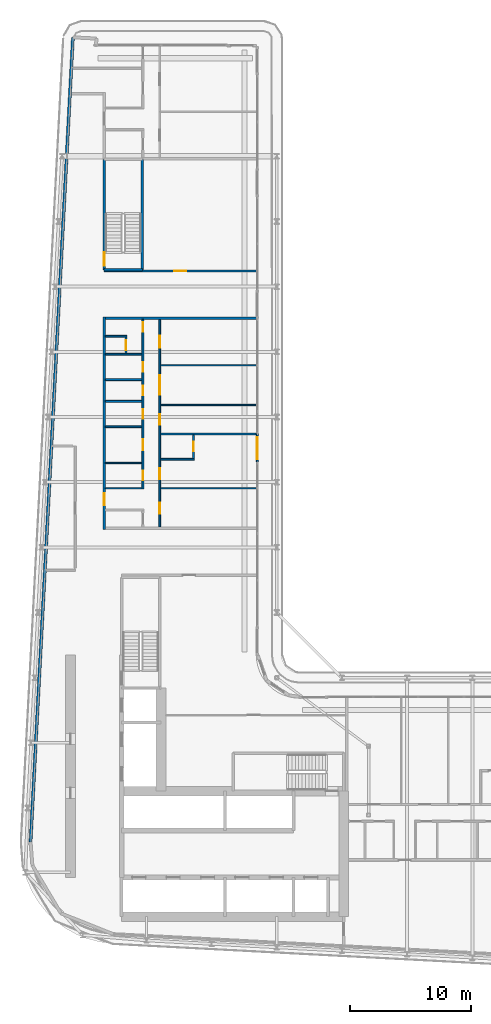
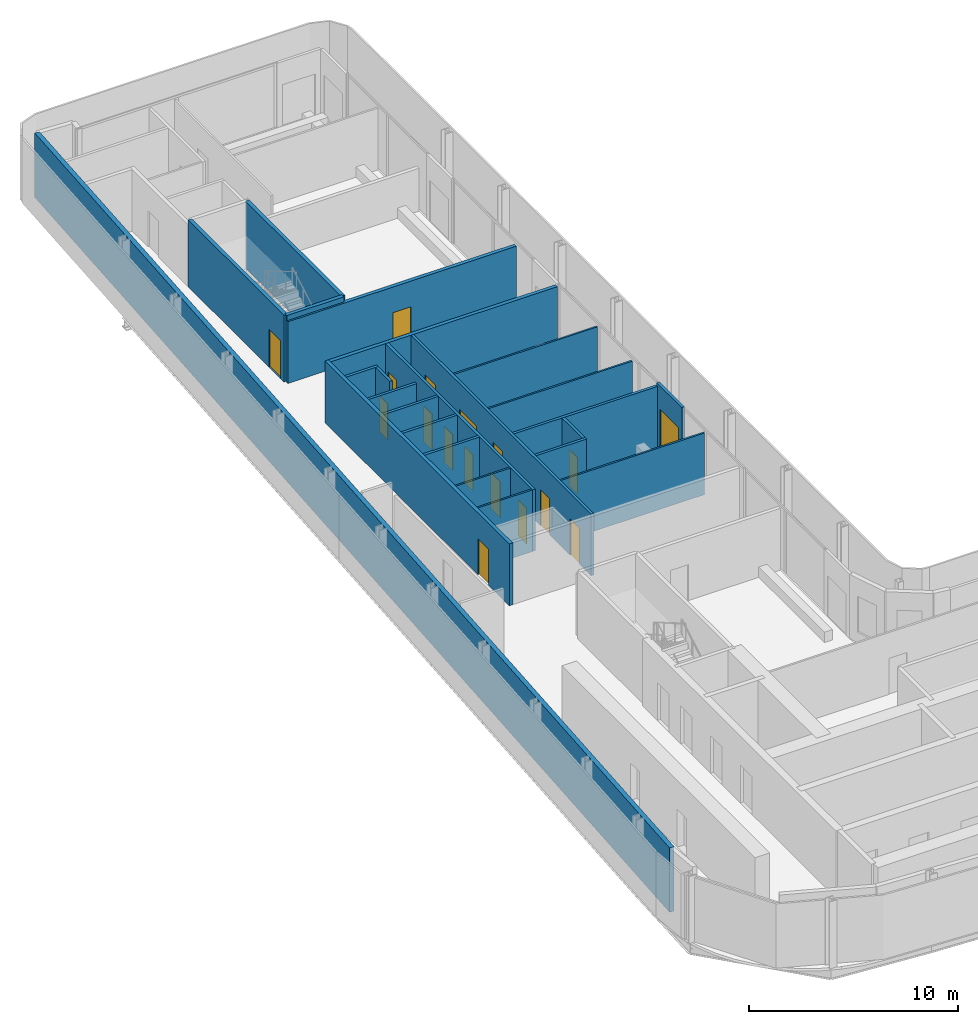
# One storey, part 15 of 24: 24 walls, 17 doors, 17 openings.
"""IFC4 building model written with IfcOpenShell, lengths in metres."""

from ifc_helpers import new_model, si_unit, direction, frame, frame_2d, origin, place, context, subcontext, project, spatial, rectangle, extrude, source, transform, mapped, material, layer, layer_set, type_object, element, fill, save


model = new_model("IFC4")

# Units and contexts
model_context = context("Model", 3, precision=1e-05, world=origin(), true_north=direction((0.0, 1.0)))
body_context = subcontext(model_context, "Body", "Model", "MODEL_VIEW")
ifc_project = project(units=[si_unit("LENGTHUNIT", "METRE"), si_unit("AREAUNIT", "SQUARE_METRE"), si_unit("VOLUMEUNIT", "CUBIC_METRE"), si_unit("PLANEANGLEUNIT", "RADIAN"), si_unit("MASSUNIT", "GRAM", prefix="KILO")], contexts=[model_context])

# Site, building, storey
site_placement = place(None, origin())
site = spatial("IfcSite", under=ifc_project, at=site_placement, CompositionType="ELEMENT")
building_placement = place(site_placement, origin())
building = spatial("IfcBuilding", under=site, at=building_placement, Name="Kheshtan School and Residences Tower", CompositionType="ELEMENT")
storey_placement = place(building_placement, frame((0.0, 0.0, 160.39990234375)))
storey = spatial("IfcBuildingStorey", under=building, at=storey_placement, Name="L37", CompositionType="ELEMENT", Elevation=160.39990234375)

# Wall, opening, door
ifc_material_1 = material(Name="Gypsum board on steel studs with fire boards", Category="steel")
ifc_layer_1 = layer(ifc_material_1, 0.199951171875)
ifc_layer_set_1 = layer_set([ifc_layer_1], Name="Corridor wall 200")
wall_type_1 = type_object("IfcWallType", Name="Corridor wall 200", PredefinedType="PARTITIONING", material=ifc_layer_set_1)
wall_1_placement = place(storey_placement, frame((33.300048828125, 57.89990234375, 0.0), z_axis=(0.0, 0.0, 1.0), x_axis=(0.0, 1.0, 0.0)))
wall_1 = element("IfcWall", 1, at=wall_1_placement, inside=storey, type_object=wall_type_1, Name="Partition L37-003", PredefinedType="PARTITIONING", context=body_context, shape_type="SweptSolid", body=[
    extrude(rectangle(XDim=17.60009765625, YDim=0.199951171875, at=frame_2d((8.800048828125, 0.0))), origin(), (0.0, 0.0, 1.0), 3.60009765625),
])
opening_1_placement = place(wall_1_placement, frame((2.0, 0.0, 0.0)))
opening_1 = element("IfcOpeningElement", 2, at=opening_1_placement, cuts=wall_1, Name="Opening D37-034", PredefinedType="OPENING", context=body_context, shape_type="SweptSolid", body=[
    extrude(rectangle(XDim=1.0, YDim=2.10009765625, at=frame_2d((0.5, 1.050048828125))), frame((0.0, 0.10986328125, 0.0), z_axis=(0.0, -1.0, 0.0), x_axis=(1.0, 0.0, 0.0)), (0.0, 0.0, 1.0), 0.219970703125),
])
ifc_material_2 = material(Name="Steel-framed fire-resisting door leaf", Category="steel")
door_type_1 = type_object("IfcDoorType", Name="Fire door FD30S 1000 x 2100", OperationType="SINGLE_SWING_LEFT", PredefinedType="DOOR", material=ifc_material_2)
shared_shape_1 = source(origin(), body_context, "Body", "SweptSolid", [
    extrude(rectangle(XDim=1.0, YDim=2.10009765625, at=frame_2d((0.5, 1.050048828125))), frame((0.0, 0.02490234375, 0.0), z_axis=(0.0, -1.0, 0.0), x_axis=(1.0, 0.0, 0.0)), (0.0, 0.0, 1.0), 0.050048828125),
])
door_1_placement = place(opening_1_placement, origin())
door_1 = element("IfcDoor", 3, at=door_1_placement, inside=storey, type_object=door_type_1, Name="Door D37-034", OperationType="SINGLE_SWING_LEFT", OverallHeight=2.10009765625, OverallWidth=1.0, PredefinedType="DOOR", context=body_context, shape_type="MappedRepresentation", body=[
    mapped(shared_shape_1, transform((0.0, 0.0, 0.0), x_axis=(1.0, 0.0, 0.0), y_axis=(0.0, 1.0, 0.0), z_axis=(0.0, 0.0, 1.0), scale=1.0)),
])
fill(opening_1, door_1)

wall_2_placement = place(storey_placement, frame((33.300048828125, 79.300048828125, 0.0), z_axis=(0.0, 0.0, 1.0), x_axis=(1.0, 0.0, 0.0)))
wall_2 = element("IfcWall", 4, at=wall_2_placement, inside=storey, type_object=wall_type_1, Name="Partition L37-004", PredefinedType="PARTITIONING", context=body_context, shape_type="SweptSolid", body=[
    extrude(rectangle(XDim=12.599853515625, YDim=0.199951171875, at=frame_2d((6.2998046875, 0.0))), origin(), (0.0, 0.0, 1.0), 3.60009765625),
])
opening_2_placement = place(wall_2_placement, frame((5.794921875, 0.0, 0.0)))
opening_2 = element("IfcOpeningElement", 5, at=opening_2_placement, cuts=wall_2, Name="Opening D37-052", PredefinedType="OPENING", context=body_context, shape_type="SweptSolid", body=[
    extrude(rectangle(XDim=1.0, YDim=2.10009765625, at=frame_2d((0.5, 1.050048828125))), frame((0.0, 0.10986328125, 0.0), z_axis=(0.0, -1.0, 0.0), x_axis=(1.0, 0.0, 0.0)), (0.0, 0.0, 1.0), 0.219970703125),
])
door_type_2 = type_object("IfcDoorType", Name="Fire door FD60 1000 x 2100", OperationType="SINGLE_SWING_LEFT", PredefinedType="DOOR", material=ifc_material_2)
shared_shape_2 = source(origin(), body_context, "Body", "SweptSolid", [
    extrude(rectangle(XDim=1.0, YDim=2.10009765625, at=frame_2d((0.5, 1.050048828125))), frame((0.0, 0.02490234375, 0.0), z_axis=(0.0, -1.0, 0.0), x_axis=(1.0, 0.0, 0.0)), (0.0, 0.0, 1.0), 0.050048828125),
])
door_2_placement = place(opening_2_placement, origin())
door_2 = element("IfcDoor", 6, at=door_2_placement, inside=storey, type_object=door_type_2, Name="Door D37-052", OperationType="SINGLE_SWING_RIGHT", OverallHeight=2.10009765625, OverallWidth=1.0, PredefinedType="DOOR", context=body_context, shape_type="MappedRepresentation", body=[
    mapped(shared_shape_2, transform((0.0, 0.0, 0.0), x_axis=(1.0, 0.0, 0.0), y_axis=(0.0, 1.0, 0.0), z_axis=(0.0, 0.0, 1.0), scale=1.0)),
])
fill(opening_2, door_2)

# Walls
wall_3_placement = place(storey_placement, frame((33.39990234375, 75.39990234375, 0.0), z_axis=(0.0, 0.0, 1.0), x_axis=(1.0, 0.0, 0.0)))
element("IfcWall", 7, at=wall_3_placement, inside=storey, type_object=wall_type_1, Name="Partition L37-015", PredefinedType="PARTITIONING", context=body_context, shape_type="SweptSolid", body=[
    extrude(rectangle(XDim=12.5, YDim=0.199951171875, at=frame_2d((6.25, 0.0))), origin(), (0.0, 0.0, 1.0), 3.60009765625),
])
ifc_material_3 = material(Name="Concrete C40/50 with ceramic cladding and mineral wool insulation", Category="concrete")
ifc_layer_2 = layer(ifc_material_3, 0.25)
ifc_layer_set_2 = layer_set([ifc_layer_2], Name="External wall 250 ceramic clad")
wall_type_2 = type_object("IfcWallType", Name="External wall 250 ceramic clad", PredefinedType="SOLIDWALL", material=ifc_layer_set_2)
wall_4_placement = place(storey_placement, frame((27.195068359375, 31.968994140625, 0.0), z_axis=(0.0, 0.0, 1.0), x_axis=(0.052554995867, 0.998618031286, 0.0)))
element("IfcWall", 8, at=wall_4_placement, inside=storey, type_object=wall_type_2, Name="External wall L37 4", PredefinedType="SOLIDWALL", context=body_context, shape_type="SweptSolid", body=[
    extrude(rectangle(XDim=66.787353515625, YDim=0.25, at=frame_2d((33.3935546875, 0.0))), origin(), (0.0, 0.0, 1.0), 3.75),
])

# Wall, opening, door
ifc_material_4 = material(Name="Aluminium frame wall with insulated infill", Category="aluminium")
ifc_layer_3 = layer(ifc_material_4, 0.14990234375)
ifc_layer_set_3 = layer_set([ifc_layer_3], Name="Glazing frame wall 150")
wall_type_3 = type_object("IfcWallType", Name="Glazing frame wall 150", PredefinedType="SOLIDWALL", material=ifc_layer_set_3)
wall_5_placement = place(storey_placement, frame((45.97509765625, 65.818115234375, 0.0), z_axis=(0.0, 0.0, 1.0), x_axis=(0.0, -1.0, 0.0)))
wall_5 = element("IfcWall", 9, at=wall_5_placement, inside=storey, type_object=wall_type_3, Name="Balcony door wall L37 8.4", PredefinedType="SOLIDWALL", context=body_context, shape_type="SweptSolid", body=[
    extrude(rectangle(XDim=2.400146484375, YDim=0.14990234375, at=frame_2d((1.2001953125, 0.0))), origin(), (0.0, 0.0, 1.0), 3.75),
])
opening_3_placement = place(wall_5_placement, frame((0.300048828125, 0.0, 0.0)))
opening_3 = element("IfcOpeningElement", 10, at=opening_3_placement, cuts=wall_5, Name="Opening BD", PredefinedType="OPENING", context=body_context, shape_type="SweptSolid", body=[
    extrude(rectangle(XDim=1.800048828125, YDim=2.39990234375, at=frame_2d((0.89990234375, 1.199951171875))), frame((0.0, 0.0849609375, 0.0), z_axis=(0.0, -1.0, 0.0), x_axis=(1.0, 0.0, 0.0)), (0.0, 0.0, 1.0), 0.169921875),
])
ifc_material_5 = material(Name="Clear low-e glass in thermally broken aluminium frame", Category="aluminium")
door_type_3 = type_object("IfcDoorType", Name="Balcony sliding door", OperationType="SLIDING_TO_LEFT", PredefinedType="DOOR", material=ifc_material_5)
shared_shape_3 = source(origin(), body_context, "Body", "SweptSolid", [
    extrude(rectangle(XDim=1.800048828125, YDim=2.39990234375, at=frame_2d((0.89990234375, 1.199951171875))), frame((0.0, 0.02490234375, 0.0), z_axis=(0.0, -1.0, 0.0), x_axis=(1.0, 0.0, 0.0)), (0.0, 0.0, 1.0), 0.050048828125),
])
door_3_placement = place(opening_3_placement, origin())
door_3 = element("IfcDoor", 11, at=door_3_placement, inside=storey, type_object=door_type_3, Name="Balcony door L37 8.4", OperationType="SLIDING_TO_LEFT", OverallHeight=2.39990234375, OverallWidth=1.800048828125, PredefinedType="DOOR", context=body_context, shape_type="MappedRepresentation", body=[
    mapped(shared_shape_3, transform((0.0, 0.0, 0.0), x_axis=(1.0, 0.0, 0.0), y_axis=(0.0, 1.0, 0.0), z_axis=(0.0, 0.0, 1.0), scale=1.0)),
])
fill(opening_3, door_3)

# Walls
ifc_material_6 = material(Name="Gypsum board on steel studs", Category="steel")
ifc_layer_4 = layer(ifc_material_6, 0.10009765625)
ifc_layer_set_4 = layer_set([ifc_layer_4], Name="Gypsum partition 100")
wall_type_4 = type_object("IfcWallType", Name="Gypsum partition 100", PredefinedType="PARTITIONING", material=ifc_layer_set_4)
for number, where, z_axis, x_axis, name in (
    (12, (33.39990234375, 61.300048828125, 0.0), (0.0, 0.0, 1.0), (1.0, 0.0, 0.0), "Partition L37-008"),
    (13, (33.39990234375, 63.39990234375, 0.0), (0.0, 0.0, 1.0), (1.0, 0.0, 0.0), "Partition L37-009"),
):
    element("IfcWall", number, at=place(storey_placement, frame(where, z_axis=z_axis, x_axis=x_axis)), inside=storey, type_object=wall_type_4, Name=name, PredefinedType="PARTITIONING", context=body_context, shape_type="SweptSolid", body=[
        extrude(rectangle(XDim=3.025146484375, YDim=0.10009765625, at=frame_2d((1.5126953125, 0.0))), origin(), (0.0, 0.0, 1.0), 3.60009765625),
    ])
for number, where, z_axis, x_axis, name in (
    (14, (37.97509765625, 61.300048828125, 0.0), (0.0, 0.0, 1.0), (1.0, 0.0, 0.0), "Partition L37-028"),
    (15, (37.97509765625, 68.199951171875, 0.0), (0.0, 0.0, 1.0), (1.0, 0.0, 0.0), "Partition L37-031"),
    (16, (37.97509765625, 71.5, 0.0), (0.0, 0.0, 1.0), (1.0, 0.0, 0.0), "Partition L37-032"),
):
    element("IfcWall", number, at=place(storey_placement, frame(where, z_axis=z_axis, x_axis=x_axis)), inside=storey, type_object=wall_type_4, Name=name, PredefinedType="PARTITIONING", context=body_context, shape_type="SweptSolid", body=[
        extrude(rectangle(XDim=7.9248046875, YDim=0.10009765625, at=frame_2d((3.96240234375, 0.0))), origin(), (0.0, 0.0, 1.0), 3.60009765625),
    ])
ifc_material_7 = material(Name="Concrete C40/50", Category="concrete")
ifc_layer_5 = layer(ifc_material_7, 0.199951171875)
ifc_layer_set_5 = layer_set([ifc_layer_5], Name="Stair enclosure wall 200 Concrete C40/50")
wall_type_5 = type_object("IfcWallType", Name="Stair enclosure wall 200 Concrete C40/50", PredefinedType="SHEAR", material=ifc_layer_set_5)
wall_6_placement = place(storey_placement, frame((33.300048828125, 79.39990234375, 0.0), z_axis=(0.0, 0.0, 1.0), x_axis=(1.0, 0.0, 0.0)))
element("IfcWall", 17, at=wall_6_placement, inside=storey, type_object=wall_type_5, Name="Stair enclosure wall ST3", PredefinedType="SHEAR", context=body_context, shape_type="SweptSolid", body=[
    extrude(rectangle(XDim=3.14990234375, YDim=0.199951171875, at=frame_2d((1.574951171875, 0.0))), origin(), (0.0, 0.0, 1.0), 3.900146484375),
])

# Wall, opening, door
wall_7_placement = place(storey_placement, frame((33.300048828125, 79.39990234375, 0.0), z_axis=(0.0, 0.0, 1.0), x_axis=(0.0, 1.0, 0.0)))
wall_7 = element("IfcWall", 18, at=wall_7_placement, inside=storey, type_object=wall_type_5, Name="Stair enclosure wall ST3", PredefinedType="SHEAR", context=body_context, shape_type="SweptSolid", body=[
    extrude(rectangle(XDim=9.16015625, YDim=0.199951171875, at=frame_2d((4.580078125, 0.0))), origin(), (0.0, 0.0, 1.0), 3.900146484375),
])
opening_4_placement = place(wall_7_placement, frame((0.35009765625, 0.0, 0.0)))
opening_4 = element("IfcOpeningElement", 19, at=opening_4_placement, cuts=wall_7, Name="Opening ST3D", PredefinedType="OPENING", context=body_context, shape_type="SweptSolid", body=[
    extrude(rectangle(XDim=1.10009765625, YDim=2.199951171875, at=frame_2d((0.550048828125, 1.10009765625))), frame((0.0, 0.10986328125, 0.0), z_axis=(0.0, -1.0, 0.0), x_axis=(1.0, 0.0, 0.0)), (0.0, 0.0, 1.0), 0.219970703125),
])
ifc_material_8 = material(Name="Steel door leaf, galvanised", Category="steel")
door_type_4 = type_object("IfcDoorType", Name="Stair door 1100 steel 90 min", OperationType="SINGLE_SWING_LEFT", PredefinedType="DOOR", material=ifc_material_8)
shared_shape_4 = source(origin(), body_context, "Body", "SweptSolid", [
    extrude(rectangle(XDim=1.10009765625, YDim=2.199951171875, at=frame_2d((0.550048828125, 1.10009765625))), frame((0.0, 0.02490234375, 0.0), z_axis=(0.0, -1.0, 0.0), x_axis=(1.0, 0.0, 0.0)), (0.0, 0.0, 1.0), 0.050048828125),
])
door_4_placement = place(opening_4_placement, origin())
door_4 = element("IfcDoor", 20, at=door_4_placement, inside=storey, type_object=door_type_4, Name="Stair ST3 door", OperationType="SINGLE_SWING_RIGHT", OverallHeight=2.199951171875, OverallWidth=1.10009765625, PredefinedType="DOOR", context=body_context, shape_type="MappedRepresentation", body=[
    mapped(shared_shape_4, transform((0.0, 0.0, 0.0), x_axis=(1.0, 0.0, 0.0), y_axis=(0.0, 1.0, 0.0), z_axis=(0.0, 0.0, 1.0), scale=1.0)),
])
fill(opening_4, door_4)

# Walls
wall_8_placement = place(storey_placement, frame((36.449951171875, 79.39990234375, 0.0), z_axis=(0.0, 0.0, 1.0), x_axis=(0.0, 1.0, 0.0)))
element("IfcWall", 21, at=wall_8_placement, inside=storey, type_object=wall_type_5, Name="Stair enclosure wall ST3", PredefinedType="SHEAR", context=body_context, shape_type="SweptSolid", body=[
    extrude(rectangle(XDim=9.16015625, YDim=0.199951171875, at=frame_2d((4.580078125, 0.0))), origin(), (0.0, 0.0, 1.0), 3.900146484375),
])
ifc_material_9 = material(Name="Moisture-resistant gypsum board on steel studs", Category="steel")
ifc_layer_6 = layer(ifc_material_9, 0.14990234375)
ifc_layer_set_6 = layer_set([ifc_layer_6], Name="Wet-room partition 150")
wall_type_6 = type_object("IfcWallType", Name="Wet-room partition 150", PredefinedType="PARTITIONING", material=ifc_layer_set_6)
for number, where, z_axis, x_axis, name in (
    (22, (33.39990234375, 66.39990234375, 0.0), (0.0, 0.0, 1.0), (1.0, 0.0, 0.0), "Partition L37-010"),
    (23, (33.39990234375, 68.5, 0.0), (0.0, 0.0, 1.0), (1.0, 0.0, 0.0), "Partition L37-011"),
    (24, (33.39990234375, 70.300048828125, 0.0), (0.0, 0.0, 1.0), (1.0, 0.0, 0.0), "Partition L37-012"),
):
    element("IfcWall", number, at=place(storey_placement, frame(where, z_axis=z_axis, x_axis=x_axis)), inside=storey, type_object=wall_type_6, Name=name, PredefinedType="PARTITIONING", context=body_context, shape_type="SweptSolid", body=[
        extrude(rectangle(XDim=3.025146484375, YDim=0.14990234375, at=frame_2d((1.5126953125, 0.0))), origin(), (0.0, 0.0, 1.0), 3.60009765625),
    ])
wall_9_placement = place(storey_placement, frame((33.39990234375, 72.39990234375, 0.0), z_axis=(0.0, 0.0, 1.0), x_axis=(1.0, 0.0, 0.0)))
element("IfcWall", 25, at=wall_9_placement, inside=storey, type_object=wall_type_6, Name="Partition L37-013", PredefinedType="PARTITIONING", context=body_context, shape_type="SweptSolid", body=[
    extrude(rectangle(XDim=3.025146484375, YDim=0.14990234375, at=frame_2d((1.5126953125, 0.0))), origin(), (0.0, 0.0, 1.0), 3.072021484375),
])
wall_10_placement = place(storey_placement, frame((33.39990234375, 73.89990234375, 0.0), z_axis=(0.0, 0.0, 1.0), x_axis=(1.0, 0.0, 0.0)))
element("IfcWall", 26, at=wall_10_placement, inside=storey, type_object=wall_type_6, Name="Partition L37-014", PredefinedType="PARTITIONING", context=body_context, shape_type="SweptSolid", body=[
    extrude(rectangle(XDim=1.775146484375, YDim=0.14990234375, at=frame_2d((0.8876953125, 0.0))), origin(), (0.0, 0.0, 1.0), 3.60009765625),
])

# Wall, opening, door
wall_11_placement = place(storey_placement, frame((35.10009765625, 72.47509765625, 0.0), z_axis=(0.0, 0.0, 1.0), x_axis=(0.0, 1.0, 0.0)))
wall_11 = element("IfcWall", 27, at=wall_11_placement, inside=storey, type_object=wall_type_6, Name="Partition L37-019", PredefinedType="PARTITIONING", context=body_context, shape_type="SweptSolid", body=[
    extrude(rectangle(XDim=1.349853515625, YDim=0.14990234375, at=frame_2d((0.6748046875, 0.0))), origin(), (0.0, 0.0, 1.0), 3.60009765625),
])
opening_5_placement = place(wall_11_placement, frame((0.27490234375, 0.0, 0.0)))
opening_5 = element("IfcOpeningElement", 28, at=opening_5_placement, cuts=wall_11, Name="Opening D37-039", PredefinedType="OPENING", context=body_context, shape_type="SweptSolid", body=[
    extrude(rectangle(XDim=0.800048828125, YDim=2.10009765625, at=frame_2d((0.39990234375, 1.050048828125))), frame((0.0, 0.0849609375, 0.0), z_axis=(0.0, -1.0, 0.0), x_axis=(1.0, 0.0, 0.0)), (0.0, 0.0, 1.0), 0.169921875),
])
ifc_material_10 = material(Name="Veneered timber door leaf", Category="wood")
door_type_5 = type_object("IfcDoorType", Name="Door 800 x 2100", OperationType="SINGLE_SWING_LEFT", PredefinedType="DOOR", material=ifc_material_10)
shared_shape_5 = source(origin(), body_context, "Body", "SweptSolid", [
    extrude(rectangle(XDim=0.800048828125, YDim=2.10009765625, at=frame_2d((0.39990234375, 1.050048828125))), frame((0.0, 0.02490234375, 0.0), z_axis=(0.0, -1.0, 0.0), x_axis=(1.0, 0.0, 0.0)), (0.0, 0.0, 1.0), 0.050048828125),
])
door_5_placement = place(opening_5_placement, origin())
door_5 = element("IfcDoor", 29, at=door_5_placement, inside=storey, type_object=door_type_5, Name="Door D37-039", OperationType="SINGLE_SWING_LEFT", OverallHeight=2.10009765625, OverallWidth=0.800048828125, PredefinedType="DOOR", context=body_context, shape_type="MappedRepresentation", body=[
    mapped(shared_shape_5, transform((0.0, 0.0, 0.0), x_axis=(1.0, 0.0, 0.0), y_axis=(0.0, 1.0, 0.0), z_axis=(0.0, 0.0, 1.0), scale=1.0)),
])
fill(opening_5, door_5)

# Wall, openings, doors
wall_12_placement = place(storey_placement, frame((36.5, 61.25, 0.0), z_axis=(0.0, 0.0, 1.0), x_axis=(0.0, 1.0, 0.0)))
wall_12 = element("IfcWall", 30, at=wall_12_placement, inside=storey, type_object=wall_type_6, Name="Partition L37-022", PredefinedType="PARTITIONING", context=body_context, shape_type="SweptSolid", body=[
    extrude(rectangle(XDim=14.050048828125, YDim=0.14990234375, at=frame_2d((7.02490234375, 0.0))), origin(), (0.0, 0.0, 1.0), 3.60009765625),
])
opening_6_placement = place(wall_12_placement, frame((5.800048828125, 0.0, 0.0)))
opening_6 = element("IfcOpeningElement", 31, at=opening_6_placement, cuts=wall_12, Name="Opening D37-028", PredefinedType="OPENING", context=body_context, shape_type="SweptSolid", body=[
    extrude(rectangle(XDim=0.800048828125, YDim=2.10009765625, at=frame_2d((0.39990234375, 1.050048828125))), frame((0.0, 0.0849609375, 0.0), z_axis=(0.0, -1.0, 0.0), x_axis=(1.0, 0.0, 0.0)), (0.0, 0.0, 1.0), 0.169921875),
])
opening_7_placement = place(wall_12_placement, frame((9.699951171875, 0.0, 0.0)))
opening_7 = element("IfcOpeningElement", 32, at=opening_7_placement, cuts=wall_12, Name="Opening D37-029", PredefinedType="OPENING", context=body_context, shape_type="SweptSolid", body=[
    extrude(rectangle(XDim=0.800048828125, YDim=2.10009765625, at=frame_2d((0.39990234375, 1.050048828125))), frame((0.0, 0.0849609375, 0.0), z_axis=(0.0, -1.0, 0.0), x_axis=(1.0, 0.0, 0.0)), (0.0, 0.0, 1.0), 0.169921875),
])
opening_8_placement = place(wall_12_placement, frame((0.699951171875, 0.0, 0.0)))
opening_8 = element("IfcOpeningElement", 33, at=opening_8_placement, cuts=wall_12, Name="Opening D37-032", PredefinedType="OPENING", context=body_context, shape_type="SweptSolid", body=[
    extrude(rectangle(XDim=0.800048828125, YDim=2.10009765625, at=frame_2d((0.39990234375, 1.050048828125))), frame((0.0, 0.0849609375, 0.0), z_axis=(0.0, -1.0, 0.0), x_axis=(1.0, 0.0, 0.0)), (0.0, 0.0, 1.0), 0.169921875),
])
opening_9_placement = place(wall_12_placement, frame((3.199951171875, 0.0, 0.0)))
opening_9 = element("IfcOpeningElement", 34, at=opening_9_placement, cuts=wall_12, Name="Opening D37-035", PredefinedType="OPENING", context=body_context, shape_type="SweptSolid", body=[
    extrude(rectangle(XDim=0.89990234375, YDim=2.10009765625, at=frame_2d((0.449951171875, 1.050048828125))), frame((0.0, 0.0849609375, 0.0), z_axis=(0.0, -1.0, 0.0), x_axis=(1.0, 0.0, 0.0)), (0.0, 0.0, 1.0), 0.169921875),
])
opening_10_placement = place(wall_12_placement, frame((7.75, 0.0, 0.0)))
opening_10 = element("IfcOpeningElement", 35, at=opening_10_placement, cuts=wall_12, Name="Opening D37-036", PredefinedType="OPENING", context=body_context, shape_type="SweptSolid", body=[
    extrude(rectangle(XDim=0.800048828125, YDim=2.10009765625, at=frame_2d((0.39990234375, 1.050048828125))), frame((0.0, 0.0849609375, 0.0), z_axis=(0.0, -1.0, 0.0), x_axis=(1.0, 0.0, 0.0)), (0.0, 0.0, 1.0), 0.169921875),
])
opening_11_placement = place(wall_12_placement, frame((13.0, 0.0, 0.0)))
opening_11 = element("IfcOpeningElement", 36, at=opening_11_placement, cuts=wall_12, Name="Opening D37-038", PredefinedType="OPENING", context=body_context, shape_type="SweptSolid", body=[
    extrude(rectangle(XDim=0.800048828125, YDim=2.10009765625, at=frame_2d((0.39990234375, 1.050048828125))), frame((0.0, 0.0849609375, 0.0), z_axis=(0.0, -1.0, 0.0), x_axis=(1.0, 0.0, 0.0)), (0.0, 0.0, 1.0), 0.169921875),
])
door_6_placement = place(opening_6_placement, origin())
door_6 = element("IfcDoor", 37, at=door_6_placement, inside=storey, type_object=door_type_5, Name="Door D37-028", OperationType="SINGLE_SWING_RIGHT", OverallHeight=2.10009765625, OverallWidth=0.800048828125, PredefinedType="DOOR", context=body_context, shape_type="MappedRepresentation", body=[
    mapped(shared_shape_5, transform((0.0, 0.0, 0.0), x_axis=(1.0, 0.0, 0.0), y_axis=(0.0, 1.0, 0.0), z_axis=(0.0, 0.0, 1.0), scale=1.0)),
])
fill(opening_6, door_6)
door_7_placement = place(opening_7_placement, origin())
door_7 = element("IfcDoor", 38, at=door_7_placement, inside=storey, type_object=door_type_5, Name="Door D37-029", OperationType="SINGLE_SWING_LEFT", OverallHeight=2.10009765625, OverallWidth=0.800048828125, PredefinedType="DOOR", context=body_context, shape_type="MappedRepresentation", body=[
    mapped(shared_shape_5, transform((0.0, 0.0, 0.0), x_axis=(1.0, 0.0, 0.0), y_axis=(0.0, 1.0, 0.0), z_axis=(0.0, 0.0, 1.0), scale=1.0)),
])
fill(opening_7, door_7)
door_8_placement = place(opening_8_placement, origin())
door_8 = element("IfcDoor", 39, at=door_8_placement, inside=storey, type_object=door_type_5, Name="Door D37-032", OperationType="SINGLE_SWING_LEFT", OverallHeight=2.10009765625, OverallWidth=0.800048828125, PredefinedType="DOOR", context=body_context, shape_type="MappedRepresentation", body=[
    mapped(shared_shape_5, transform((0.0, 0.0, 0.0), x_axis=(1.0, 0.0, 0.0), y_axis=(0.0, 1.0, 0.0), z_axis=(0.0, 0.0, 1.0), scale=1.0)),
])
fill(opening_8, door_8)
door_9_placement = place(opening_10_placement, origin())
door_9 = element("IfcDoor", 40, at=door_9_placement, inside=storey, type_object=door_type_5, Name="Door D37-036", OperationType="SINGLE_SWING_RIGHT", OverallHeight=2.10009765625, OverallWidth=0.800048828125, PredefinedType="DOOR", context=body_context, shape_type="MappedRepresentation", body=[
    mapped(shared_shape_5, transform((0.0, 0.0, 0.0), x_axis=(1.0, 0.0, 0.0), y_axis=(0.0, 1.0, 0.0), z_axis=(0.0, 0.0, 1.0), scale=1.0)),
])
fill(opening_10, door_9)
door_10_placement = place(opening_11_placement, origin())
door_10 = element("IfcDoor", 41, at=door_10_placement, inside=storey, type_object=door_type_5, Name="Door D37-038", OperationType="SINGLE_SWING_RIGHT", OverallHeight=2.10009765625, OverallWidth=0.800048828125, PredefinedType="DOOR", context=body_context, shape_type="MappedRepresentation", body=[
    mapped(shared_shape_5, transform((0.0, 0.0, 0.0), x_axis=(1.0, 0.0, 0.0), y_axis=(0.0, 1.0, 0.0), z_axis=(0.0, 0.0, 1.0), scale=1.0)),
])
fill(opening_11, door_10)
door_type_6 = type_object("IfcDoorType", Name="Door 900 x 2100", OperationType="SINGLE_SWING_LEFT", PredefinedType="DOOR", material=ifc_material_10)
shared_shape_6 = source(origin(), body_context, "Body", "SweptSolid", [
    extrude(rectangle(XDim=0.89990234375, YDim=2.10009765625, at=frame_2d((0.449951171875, 1.050048828125))), frame((0.0, 0.02490234375, 0.0), z_axis=(0.0, -1.0, 0.0), x_axis=(1.0, 0.0, 0.0)), (0.0, 0.0, 1.0), 0.050048828125),
])
door_11_placement = place(opening_9_placement, origin())
door_11 = element("IfcDoor", 42, at=door_11_placement, inside=storey, type_object=door_type_6, Name="Door D37-035", OperationType="SINGLE_SWING_RIGHT", OverallHeight=2.10009765625, OverallWidth=0.89990234375, PredefinedType="DOOR", context=body_context, shape_type="MappedRepresentation", body=[
    mapped(shared_shape_6, transform((0.0, 0.0, 0.0), x_axis=(1.0, 0.0, 0.0), y_axis=(0.0, 1.0, 0.0), z_axis=(0.0, 0.0, 1.0), scale=1.0)),
])
fill(opening_9, door_11)

wall_13_placement = place(storey_placement, frame((37.89990234375, 58.10009765625, 0.0), z_axis=(0.0, 0.0, 1.0), x_axis=(0.0, 1.0, 0.0)))
wall_13 = element("IfcWall", 43, at=wall_13_placement, inside=storey, type_object=wall_type_6, Name="Partition L37-025", PredefinedType="PARTITIONING", context=body_context, shape_type="SweptSolid", body=[
    extrude(rectangle(XDim=17.199951171875, YDim=0.14990234375, at=frame_2d((8.60009765625, 0.0))), origin(), (0.0, 0.0, 1.0), 3.60009765625),
])
opening_12_placement = place(wall_13_placement, frame((1.10009765625, 0.0, 0.0)))
opening_12 = element("IfcOpeningElement", 44, at=opening_12_placement, cuts=wall_13, Name="Opening D37-030", PredefinedType="OPENING", context=body_context, shape_type="SweptSolid", body=[
    extrude(rectangle(XDim=0.89990234375, YDim=2.10009765625, at=frame_2d((0.449951171875, 1.050048828125))), frame((0.0, 0.0849609375, 0.0), z_axis=(0.0, -1.0, 0.0), x_axis=(1.0, 0.0, 0.0)), (0.0, 0.0, 1.0), 0.169921875),
])
opening_13_placement = place(wall_13_placement, frame((8.449951171875, 0.0, 0.0)))
opening_13 = element("IfcOpeningElement", 45, at=opening_13_placement, cuts=wall_13, Name="Opening D37-031", PredefinedType="OPENING", context=body_context, shape_type="SweptSolid", body=[
    extrude(rectangle(XDim=0.89990234375, YDim=2.10009765625, at=frame_2d((0.449951171875, 1.050048828125))), frame((0.0, 0.0849609375, 0.0), z_axis=(0.0, -1.0, 0.0), x_axis=(1.0, 0.0, 0.0)), (0.0, 0.0, 1.0), 0.169921875),
])
opening_14_placement = place(wall_13_placement, frame((14.85009765625, 0.0, 0.0)))
opening_14 = element("IfcOpeningElement", 46, at=opening_14_placement, cuts=wall_13, Name="Opening D37-037", PredefinedType="OPENING", context=body_context, shape_type="SweptSolid", body=[
    extrude(rectangle(XDim=1.0, YDim=2.10009765625, at=frame_2d((0.5, 1.050048828125))), frame((0.0, 0.0849609375, 0.0), z_axis=(0.0, -1.0, 0.0), x_axis=(1.0, 0.0, 0.0)), (0.0, 0.0, 1.0), 0.169921875),
])
opening_15_placement = place(wall_13_placement, frame((10.949951171875, 0.0, 0.0)))
opening_15 = element("IfcOpeningElement", 47, at=opening_15_placement, cuts=wall_13, Name="Opening D37-040", PredefinedType="OPENING", context=body_context, shape_type="SweptSolid", body=[
    extrude(rectangle(XDim=1.60009765625, YDim=2.10009765625, at=frame_2d((0.800048828125, 1.050048828125))), frame((0.0, 0.0849609375, 0.0), z_axis=(0.0, -1.0, 0.0), x_axis=(1.0, 0.0, 0.0)), (0.0, 0.0, 1.0), 0.169921875),
])
opening_16_placement = place(wall_13_placement, frame((3.949951171875, 0.0, 0.0)))
opening_16 = element("IfcOpeningElement", 48, at=opening_16_placement, cuts=wall_13, Name="Opening D37-041", PredefinedType="OPENING", context=body_context, shape_type="SweptSolid", body=[
    extrude(rectangle(XDim=0.89990234375, YDim=2.10009765625, at=frame_2d((0.449951171875, 1.050048828125))), frame((0.0, 0.0849609375, 0.0), z_axis=(0.0, -1.0, 0.0), x_axis=(1.0, 0.0, 0.0)), (0.0, 0.0, 1.0), 0.169921875),
])
door_type_7 = type_object("IfcDoorType", Name="Door 1000 x 2100", OperationType="SINGLE_SWING_LEFT", PredefinedType="DOOR", material=ifc_material_10)
shared_shape_7 = source(origin(), body_context, "Body", "SweptSolid", [
    extrude(rectangle(XDim=1.0, YDim=2.10009765625, at=frame_2d((0.5, 1.050048828125))), frame((0.0, 0.02490234375, 0.0), z_axis=(0.0, -1.0, 0.0), x_axis=(1.0, 0.0, 0.0)), (0.0, 0.0, 1.0), 0.050048828125),
])
door_12_placement = place(opening_14_placement, origin())
door_12 = element("IfcDoor", 49, at=door_12_placement, inside=storey, type_object=door_type_7, Name="Door D37-037", OperationType="SINGLE_SWING_RIGHT", OverallHeight=2.10009765625, OverallWidth=1.0, PredefinedType="DOOR", context=body_context, shape_type="MappedRepresentation", body=[
    mapped(shared_shape_7, transform((0.0, 0.0, 0.0), x_axis=(1.0, 0.0, 0.0), y_axis=(0.0, 1.0, 0.0), z_axis=(0.0, 0.0, 1.0), scale=1.0)),
])
fill(opening_14, door_12)
door_13_placement = place(opening_12_placement, origin())
door_13 = element("IfcDoor", 50, at=door_13_placement, inside=storey, type_object=door_type_6, Name="Door D37-030", OperationType="SINGLE_SWING_RIGHT", OverallHeight=2.10009765625, OverallWidth=0.89990234375, PredefinedType="DOOR", context=body_context, shape_type="MappedRepresentation", body=[
    mapped(shared_shape_6, transform((0.0, 0.0, 0.0), x_axis=(1.0, 0.0, 0.0), y_axis=(0.0, 1.0, 0.0), z_axis=(0.0, 0.0, 1.0), scale=1.0)),
])
fill(opening_12, door_13)
door_14_placement = place(opening_13_placement, origin())
door_14 = element("IfcDoor", 51, at=door_14_placement, inside=storey, type_object=door_type_6, Name="Door D37-031", OperationType="SINGLE_SWING_LEFT", OverallHeight=2.10009765625, OverallWidth=0.89990234375, PredefinedType="DOOR", context=body_context, shape_type="MappedRepresentation", body=[
    mapped(shared_shape_6, transform((0.0, 0.0, 0.0), x_axis=(1.0, 0.0, 0.0), y_axis=(0.0, 1.0, 0.0), z_axis=(0.0, 0.0, 1.0), scale=1.0)),
])
fill(opening_13, door_14)
door_15_placement = place(opening_16_placement, origin())
door_15 = element("IfcDoor", 52, at=door_15_placement, inside=storey, type_object=door_type_6, Name="Door D37-041", OperationType="SINGLE_SWING_RIGHT", OverallHeight=2.10009765625, OverallWidth=0.89990234375, PredefinedType="DOOR", context=body_context, shape_type="MappedRepresentation", body=[
    mapped(shared_shape_6, transform((0.0, 0.0, 0.0), x_axis=(1.0, 0.0, 0.0), y_axis=(0.0, 1.0, 0.0), z_axis=(0.0, 0.0, 1.0), scale=1.0)),
])
fill(opening_16, door_15)
door_type_8 = type_object("IfcDoorType", Name="Double door 1600 x 2100", OperationType="DOUBLE_DOOR_SINGLE_SWING", PredefinedType="DOOR", material=ifc_material_10)
shared_shape_8 = source(origin(), body_context, "Body", "SweptSolid", [
    extrude(rectangle(XDim=1.60009765625, YDim=2.10009765625, at=frame_2d((0.800048828125, 1.050048828125))), frame((0.0, 0.02490234375, 0.0), z_axis=(0.0, -1.0, 0.0), x_axis=(1.0, 0.0, 0.0)), (0.0, 0.0, 1.0), 0.050048828125),
])
door_16_placement = place(opening_15_placement, origin())
door_16 = element("IfcDoor", 53, at=door_16_placement, inside=storey, type_object=door_type_8, Name="Door D37-040", OperationType="DOUBLE_DOOR_SINGLE_SWING", OverallHeight=2.10009765625, OverallWidth=1.60009765625, PredefinedType="DOOR", context=body_context, shape_type="MappedRepresentation", body=[
    mapped(shared_shape_8, transform((0.0, 0.0, 0.0), x_axis=(1.0, 0.0, 0.0), y_axis=(0.0, 1.0, 0.0), z_axis=(0.0, 0.0, 1.0), scale=1.0)),
])
fill(opening_15, door_16)

# Walls
wall_14_placement = place(storey_placement, frame((37.97509765625, 63.699951171875, 0.0), z_axis=(0.0, 0.0, 1.0), x_axis=(1.0, 0.0, 0.0)))
element("IfcWall", 54, at=wall_14_placement, inside=storey, type_object=wall_type_6, Name="Partition L37-029", PredefinedType="PARTITIONING", context=body_context, shape_type="SweptSolid", body=[
    extrude(rectangle(XDim=2.7998046875, YDim=0.14990234375, at=frame_2d((1.39990234375, 0.0))), origin(), (0.0, 0.0, 1.0), 3.60009765625),
])
wall_15_placement = place(storey_placement, frame((37.97509765625, 65.800048828125, 0.0), z_axis=(0.0, 0.0, 1.0), x_axis=(1.0, 0.0, 0.0)))
element("IfcWall", 55, at=wall_15_placement, inside=storey, type_object=wall_type_6, Name="Partition L37-030", PredefinedType="PARTITIONING", context=body_context, shape_type="SweptSolid", body=[
    extrude(rectangle(XDim=7.9248046875, YDim=0.14990234375, at=frame_2d((3.96240234375, 0.0))), origin(), (0.0, 0.0, 1.0), 3.60009765625),
])

# Wall, opening, door
wall_16_placement = place(storey_placement, frame((40.699951171875, 63.77490234375, 0.0), z_axis=(0.0, 0.0, 1.0), x_axis=(0.0, 1.0, 0.0)))
wall_16 = element("IfcWall", 56, at=wall_16_placement, inside=storey, type_object=wall_type_6, Name="Partition L37-034", PredefinedType="PARTITIONING", context=body_context, shape_type="SweptSolid", body=[
    extrude(rectangle(XDim=1.9501953125, YDim=0.14990234375, at=frame_2d((0.97509765625, 0.0))), origin(), (0.0, 0.0, 1.0), 3.60009765625),
])
opening_17_placement = place(wall_16_placement, frame((0.574951171875, 0.0, 0.0)))
opening_17 = element("IfcOpeningElement", 57, at=opening_17_placement, cuts=wall_16, Name="Opening D37-033", PredefinedType="OPENING", context=body_context, shape_type="SweptSolid", body=[
    extrude(rectangle(XDim=0.800048828125, YDim=2.10009765625, at=frame_2d((0.39990234375, 1.050048828125))), frame((0.0, 0.0849609375, 0.0), z_axis=(0.0, -1.0, 0.0), x_axis=(1.0, 0.0, 0.0)), (0.0, 0.0, 1.0), 0.169921875),
])
door_17_placement = place(opening_17_placement, origin())
door_17 = element("IfcDoor", 58, at=door_17_placement, inside=storey, type_object=door_type_5, Name="Door D37-033", OperationType="SINGLE_SWING_RIGHT", OverallHeight=2.10009765625, OverallWidth=0.800048828125, PredefinedType="DOOR", context=body_context, shape_type="MappedRepresentation", body=[
    mapped(shared_shape_5, transform((0.0, 0.0, 0.0), x_axis=(1.0, 0.0, 0.0), y_axis=(0.0, 1.0, 0.0), z_axis=(0.0, 0.0, 1.0), scale=1.0)),
])
fill(opening_17, door_17)

save(model, "model.ifc")
